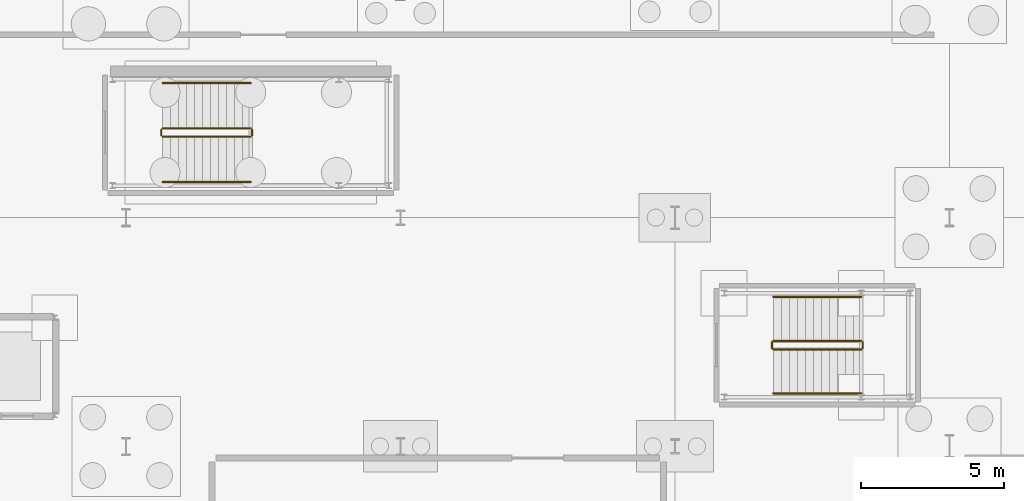
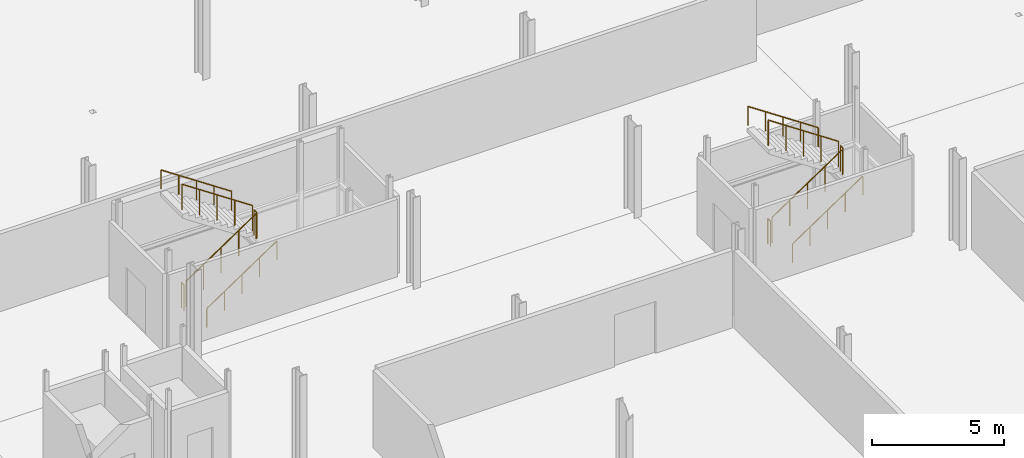
# One storey, part 44 of 47: 12 railings.
"""IFC4 building model written with IfcOpenShell, lengths in metres."""

from ifc_helpers import new_model, si_unit, direction, frame, origin, origin_2d, place, context, subcontext, project, spatial, circle, extrude, material, type_object, element, save


model = new_model("IFC4")

# Units and contexts
model_context = context("Model", 3, precision=1e-05, world=origin(), true_north=direction((0.0, 1.0)))
body_context = subcontext(model_context, "Body", "Model", "MODEL_VIEW")
ifc_project = project(units=[si_unit("LENGTHUNIT", "METRE"), si_unit("AREAUNIT", "SQUARE_METRE"), si_unit("VOLUMEUNIT", "CUBIC_METRE"), si_unit("PLANEANGLEUNIT", "RADIAN"), si_unit("MASSUNIT", "GRAM", prefix="KILO")], contexts=[model_context])

# Site, building, storey
site_placement = place(None, origin())
site = spatial("IfcSite", under=ifc_project, at=site_placement, CompositionType="ELEMENT")
building_placement = place(site_placement, origin())
building = spatial("IfcBuilding", under=site, at=building_placement, Name="Alderhovde Museum", CompositionType="ELEMENT")
storey_placement = place(building_placement, frame((0.0, 0.0, -4.5)))
storey = spatial("IfcBuildingStorey", under=building, at=storey_placement, Name="B1", CompositionType="ELEMENT", Elevation=-4.5)

# Railings
ifc_material_1 = material(Name="Painted Steel S355 Guardrail", Category="steel")
railing_type_1 = type_object("IfcRailingType", Name="RL-GUARD-1200", PredefinedType="GUARDRAIL", material=ifc_material_1)
railing_1_placement = place(storey_placement, frame((30.080078125, 82.830078125, 0.1875)))
element("IfcRailing", 1, at=railing_1_placement, inside=storey, type_object=railing_type_1, Name="B1 ST2 stair guard 1", PredefinedType="GUARDRAIL", context=body_context, shape_type="SweptSolid", body=[
    extrude(circle(Radius=0.02392578125, at=origin_2d()), frame((0.0, 0.0, 1.17578125), z_axis=(0.830893310487, 0.0, 0.556431762742), x_axis=(0.0, 1.0, 0.0)), (0.0, 0.0, 1.0), 3.70654296875),
    extrude(circle(Radius=0.02099609375, at=origin_2d()), origin(), (0.0, 0.0, 1.0), 1.15185546875),
    extrude(circle(Radius=0.02099609375, at=origin_2d()), frame((0.77001953125, 0.0, 0.515625)), (0.0, 0.0, 1.0), 1.15185546875),
    extrude(circle(Radius=0.02099609375, at=origin_2d()), frame((1.5400390625, 0.0, 1.03125)), (0.0, 0.0, 1.0), 1.15185546875),
    extrude(circle(Radius=0.02099609375, at=origin_2d()), frame((2.309814453125, 0.0, 1.546875)), (0.0, 0.0, 1.0), 1.15185546875),
    extrude(circle(Radius=0.02099609375, at=origin_2d()), frame((3.079833984375, 0.0, 2.0625)), (0.0, 0.0, 1.0), 1.15185546875),
])
railing_2_placement = place(storey_placement, frame((33.2099609375, 82.8798828125, 2.25)))
element("IfcRailing", 2, at=railing_2_placement, inside=storey, type_object=railing_type_1, Name="B1 ST2 stair guard 2", PredefinedType="GUARDRAIL", context=body_context, shape_type="SweptSolid", body=[
    extrude(circle(Radius=0.02392578125, at=origin_2d()), frame((0.0, 0.0, 1.17578125), z_axis=(0.0, 1.0, 0.0), x_axis=(-1.0, 0.0, 0.0)), (0.0, 0.0, 1.0), 0.2001953125),
    extrude(circle(Radius=0.02099609375, at=origin_2d()), origin(), (0.0, 0.0, 1.0), 1.15185546875),
    extrude(circle(Radius=0.02099609375, at=origin_2d()), frame((0.0, 0.2001953125, 0.0)), (0.0, 0.0, 1.0), 1.15185546875),
])
railing_3_placement = place(storey_placement, frame((33.159912109375, 83.1298828125, 2.4375)))
element("IfcRailing", 3, at=railing_3_placement, inside=storey, type_object=railing_type_1, Name="B1 ST2 stair guard 3", PredefinedType="GUARDRAIL", context=body_context, shape_type="SweptSolid", body=[
    extrude(circle(Radius=0.02392578125, at=origin_2d()), frame((0.0, 0.0, 1.17578125), z_axis=(-0.830893310487, 0.0, 0.556431762742), x_axis=(0.0, -1.0, 0.0)), (0.0, 0.0, 1.0), 3.70654296875),
    extrude(circle(Radius=0.02099609375, at=origin_2d()), origin(), (0.0, 0.0, 1.0), 1.15185546875),
    extrude(circle(Radius=0.02099609375, at=origin_2d()), frame((-0.77001953125, 0.0, 0.515625)), (0.0, 0.0, 1.0), 1.15185546875),
    extrude(circle(Radius=0.02099609375, at=origin_2d()), frame((-1.5400390625, 0.0, 1.03125)), (0.0, 0.0, 1.0), 1.15185546875),
    extrude(circle(Radius=0.02099609375, at=origin_2d()), frame((-2.309814453125, 0.0, 1.546875)), (0.0, 0.0, 1.0), 1.15185546875),
    extrude(circle(Radius=0.02099609375, at=origin_2d()), frame((-3.079833984375, 0.0, 2.0625)), (0.0, 0.0, 1.0), 1.15185546875),
])
railing_4_placement = place(storey_placement, frame((30.030029296875, 82.8798828125, 0.0)))
element("IfcRailing", 4, at=railing_4_placement, inside=storey, type_object=railing_type_1, Name="B1 ST2 stair guard 4", PredefinedType="GUARDRAIL", context=body_context, shape_type="SweptSolid", body=[
    extrude(circle(Radius=0.02392578125, at=origin_2d()), frame((0.0, 0.0, 1.17578125), z_axis=(0.0, 1.0, 0.0), x_axis=(-1.0, 0.0, 0.0)), (0.0, 0.0, 1.0), 0.2001953125),
    extrude(circle(Radius=0.02099609375, at=origin_2d()), origin(), (0.0, 0.0, 1.0), 1.15185546875),
    extrude(circle(Radius=0.02099609375, at=origin_2d()), frame((0.0, 0.2001953125, 0.0)), (0.0, 0.0, 1.0), 1.15185546875),
])
railing_5_placement = place(storey_placement, frame((51.43994140625, 75.389892578125, 0.1875)))
element("IfcRailing", 5, at=railing_5_placement, inside=storey, type_object=railing_type_1, Name="B1 ST6 stair guard 1", PredefinedType="GUARDRAIL", context=body_context, shape_type="SweptSolid", body=[
    extrude(circle(Radius=0.02392578125, at=origin_2d()), frame((0.0, 0.0, 1.17578125), z_axis=(0.830913701846, 0.0, 0.55640131208), x_axis=(0.0, 1.0, 0.0)), (0.0, 0.0, 1.0), 3.706787109375),
    extrude(circle(Radius=0.02099609375, at=origin_2d()), origin(), (0.0, 0.0, 1.0), 1.15185546875),
    extrude(circle(Radius=0.02099609375, at=origin_2d()), frame((0.77001953125, 0.0, 0.515625)), (0.0, 0.0, 1.0), 1.15185546875),
    extrude(circle(Radius=0.02099609375, at=origin_2d()), frame((1.5400390625, 0.0, 1.03125)), (0.0, 0.0, 1.0), 1.15185546875),
    extrude(circle(Radius=0.02099609375, at=origin_2d()), frame((2.31005859375, 0.0, 1.546875)), (0.0, 0.0, 1.0), 1.15185546875),
    extrude(circle(Radius=0.02099609375, at=origin_2d()), frame((3.080078125, 0.0, 2.0625)), (0.0, 0.0, 1.0), 1.15185546875),
])
railing_6_placement = place(storey_placement, frame((54.570068359375, 75.43994140625, 2.25)))
element("IfcRailing", 6, at=railing_6_placement, inside=storey, type_object=railing_type_1, Name="B1 ST6 stair guard 2", PredefinedType="GUARDRAIL", context=body_context, shape_type="SweptSolid", body=[
    extrude(circle(Radius=0.02392578125, at=origin_2d()), frame((0.0, 0.0, 1.17578125), z_axis=(0.0, 1.0, 0.0), x_axis=(-1.0, 0.0, 0.0)), (0.0, 0.0, 1.0), 0.199951171875),
    extrude(circle(Radius=0.02099609375, at=origin_2d()), origin(), (0.0, 0.0, 1.0), 1.15185546875),
    extrude(circle(Radius=0.02099609375, at=origin_2d()), frame((0.0, 0.199951171875, 0.0)), (0.0, 0.0, 1.0), 1.15185546875),
])
railing_7_placement = place(storey_placement, frame((54.52001953125, 75.68994140625, 2.4375)))
element("IfcRailing", 7, at=railing_7_placement, inside=storey, type_object=railing_type_1, Name="B1 ST6 stair guard 3", PredefinedType="GUARDRAIL", context=body_context, shape_type="SweptSolid", body=[
    extrude(circle(Radius=0.02392578125, at=origin_2d()), frame((0.0, 0.0, 1.17578125), z_axis=(-0.830913701846, 0.0, 0.55640131208), x_axis=(0.0, -1.0, 0.0)), (0.0, 0.0, 1.0), 3.706787109375),
    extrude(circle(Radius=0.02099609375, at=origin_2d()), origin(), (0.0, 0.0, 1.0), 1.15185546875),
    extrude(circle(Radius=0.02099609375, at=origin_2d()), frame((-0.77001953125, 0.0, 0.515625)), (0.0, 0.0, 1.0), 1.15185546875),
    extrude(circle(Radius=0.02099609375, at=origin_2d()), frame((-1.5400390625, 0.0, 1.03125)), (0.0, 0.0, 1.0), 1.15185546875),
    extrude(circle(Radius=0.02099609375, at=origin_2d()), frame((-2.31005859375, 0.0, 1.546875)), (0.0, 0.0, 1.0), 1.15185546875),
    extrude(circle(Radius=0.02099609375, at=origin_2d()), frame((-3.080078125, 0.0, 2.0625)), (0.0, 0.0, 1.0), 1.15185546875),
])
railing_8_placement = place(storey_placement, frame((51.389892578125, 75.43994140625, 0.0)))
element("IfcRailing", 8, at=railing_8_placement, inside=storey, type_object=railing_type_1, Name="B1 ST6 stair guard 4", PredefinedType="GUARDRAIL", context=body_context, shape_type="SweptSolid", body=[
    extrude(circle(Radius=0.02392578125, at=origin_2d()), frame((0.0, 0.0, 1.17578125), z_axis=(0.0, 1.0, 0.0), x_axis=(-1.0, 0.0, 0.0)), (0.0, 0.0, 1.0), 0.199951171875),
    extrude(circle(Radius=0.02099609375, at=origin_2d()), origin(), (0.0, 0.0, 1.0), 1.15185546875),
    extrude(circle(Radius=0.02099609375, at=origin_2d()), frame((0.0, 0.199951171875, 0.0)), (0.0, 0.0, 1.0), 1.15185546875),
])
ifc_material_2 = material(Name="Brushed Stainless Steel Handrail", Category="steel")
railing_type_2 = type_object("IfcRailingType", Name="RL-HANDRAIL-900", PredefinedType="HANDRAIL", material=ifc_material_2)
railing_9_placement = place(storey_placement, frame((30.080078125, 81.25, 0.1875)))
element("IfcRailing", 9, at=railing_9_placement, inside=storey, type_object=railing_type_2, Name="B1 ST2 stair handrail 1", PredefinedType="HANDRAIL", context=body_context, shape_type="SweptSolid", body=[
    extrude(circle(Radius=0.02392578125, at=origin_2d()), frame((0.0, 0.0, 0.8759765625), z_axis=(0.830893310487, 0.0, 0.556431762742), x_axis=(0.0, 1.0, 0.0)), (0.0, 0.0, 1.0), 3.70654296875),
    extrude(circle(Radius=0.02099609375, at=origin_2d()), origin(), (0.0, 0.0, 1.0), 0.851806640625),
    extrude(circle(Radius=0.02099609375, at=origin_2d()), frame((0.77001953125, 0.0, 0.515625)), (0.0, 0.0, 1.0), 0.851806640625),
    extrude(circle(Radius=0.02099609375, at=origin_2d()), frame((1.5400390625, 0.0, 1.03125)), (0.0, 0.0, 1.0), 0.851806640625),
    extrude(circle(Radius=0.02099609375, at=origin_2d()), frame((2.309814453125, 0.0, 1.546875)), (0.0, 0.0, 1.0), 0.851806640625),
    extrude(circle(Radius=0.02099609375, at=origin_2d()), frame((3.079833984375, 0.0, 2.0625)), (0.0, 0.0, 1.0), 0.851806640625),
])
railing_10_placement = place(storey_placement, frame((33.159912109375, 84.7099609375, 2.4375)))
element("IfcRailing", 10, at=railing_10_placement, inside=storey, type_object=railing_type_2, Name="B1 ST2 stair handrail 2", PredefinedType="HANDRAIL", context=body_context, shape_type="SweptSolid", body=[
    extrude(circle(Radius=0.02392578125, at=origin_2d()), frame((0.0, 0.0, 0.8759765625), z_axis=(-0.830893310487, 0.0, 0.556431762742), x_axis=(0.0, -1.0, 0.0)), (0.0, 0.0, 1.0), 3.70654296875),
    extrude(circle(Radius=0.02099609375, at=origin_2d()), origin(), (0.0, 0.0, 1.0), 0.851806640625),
    extrude(circle(Radius=0.02099609375, at=origin_2d()), frame((-0.77001953125, 0.0, 0.515625)), (0.0, 0.0, 1.0), 0.851806640625),
    extrude(circle(Radius=0.02099609375, at=origin_2d()), frame((-1.5400390625, 0.0, 1.03125)), (0.0, 0.0, 1.0), 0.851806640625),
    extrude(circle(Radius=0.02099609375, at=origin_2d()), frame((-2.309814453125, 0.0, 1.546875)), (0.0, 0.0, 1.0), 0.851806640625),
    extrude(circle(Radius=0.02099609375, at=origin_2d()), frame((-3.079833984375, 0.0, 2.0625)), (0.0, 0.0, 1.0), 0.851806640625),
])
railing_11_placement = place(storey_placement, frame((51.43994140625, 73.85009765625, 0.1875)))
element("IfcRailing", 11, at=railing_11_placement, inside=storey, type_object=railing_type_2, Name="B1 ST6 stair handrail 1", PredefinedType="HANDRAIL", context=body_context, shape_type="SweptSolid", body=[
    extrude(circle(Radius=0.02392578125, at=origin_2d()), frame((0.0, 0.0, 0.8759765625), z_axis=(0.830913701846, 0.0, 0.55640131208), x_axis=(0.0, 1.0, 0.0)), (0.0, 0.0, 1.0), 3.706787109375),
    extrude(circle(Radius=0.02099609375, at=origin_2d()), origin(), (0.0, 0.0, 1.0), 0.851806640625),
    extrude(circle(Radius=0.02099609375, at=origin_2d()), frame((0.77001953125, 0.0, 0.515625)), (0.0, 0.0, 1.0), 0.851806640625),
    extrude(circle(Radius=0.02099609375, at=origin_2d()), frame((1.5400390625, 0.0, 1.03125)), (0.0, 0.0, 1.0), 0.851806640625),
    extrude(circle(Radius=0.02099609375, at=origin_2d()), frame((2.31005859375, 0.0, 1.546875)), (0.0, 0.0, 1.0), 0.851806640625),
    extrude(circle(Radius=0.02099609375, at=origin_2d()), frame((3.080078125, 0.0, 2.0625)), (0.0, 0.0, 1.0), 0.851806640625),
])
railing_12_placement = place(storey_placement, frame((54.52001953125, 77.22998046875, 2.4375)))
element("IfcRailing", 12, at=railing_12_placement, inside=storey, type_object=railing_type_2, Name="B1 ST6 stair handrail 2", PredefinedType="HANDRAIL", context=body_context, shape_type="SweptSolid", body=[
    extrude(circle(Radius=0.02392578125, at=origin_2d()), frame((0.0, 0.0, 0.8759765625), z_axis=(-0.830913701846, 0.0, 0.55640131208), x_axis=(0.0, -1.0, 0.0)), (0.0, 0.0, 1.0), 3.706787109375),
    extrude(circle(Radius=0.02099609375, at=origin_2d()), origin(), (0.0, 0.0, 1.0), 0.851806640625),
    extrude(circle(Radius=0.02099609375, at=origin_2d()), frame((-0.77001953125, 0.0, 0.515625)), (0.0, 0.0, 1.0), 0.851806640625),
    extrude(circle(Radius=0.02099609375, at=origin_2d()), frame((-1.5400390625, 0.0, 1.03125)), (0.0, 0.0, 1.0), 0.851806640625),
    extrude(circle(Radius=0.02099609375, at=origin_2d()), frame((-2.31005859375, 0.0, 1.546875)), (0.0, 0.0, 1.0), 0.851806640625),
    extrude(circle(Radius=0.02099609375, at=origin_2d()), frame((-3.080078125, 0.0, 2.0625)), (0.0, 0.0, 1.0), 0.851806640625),
])

save(model, "model.ifc")
